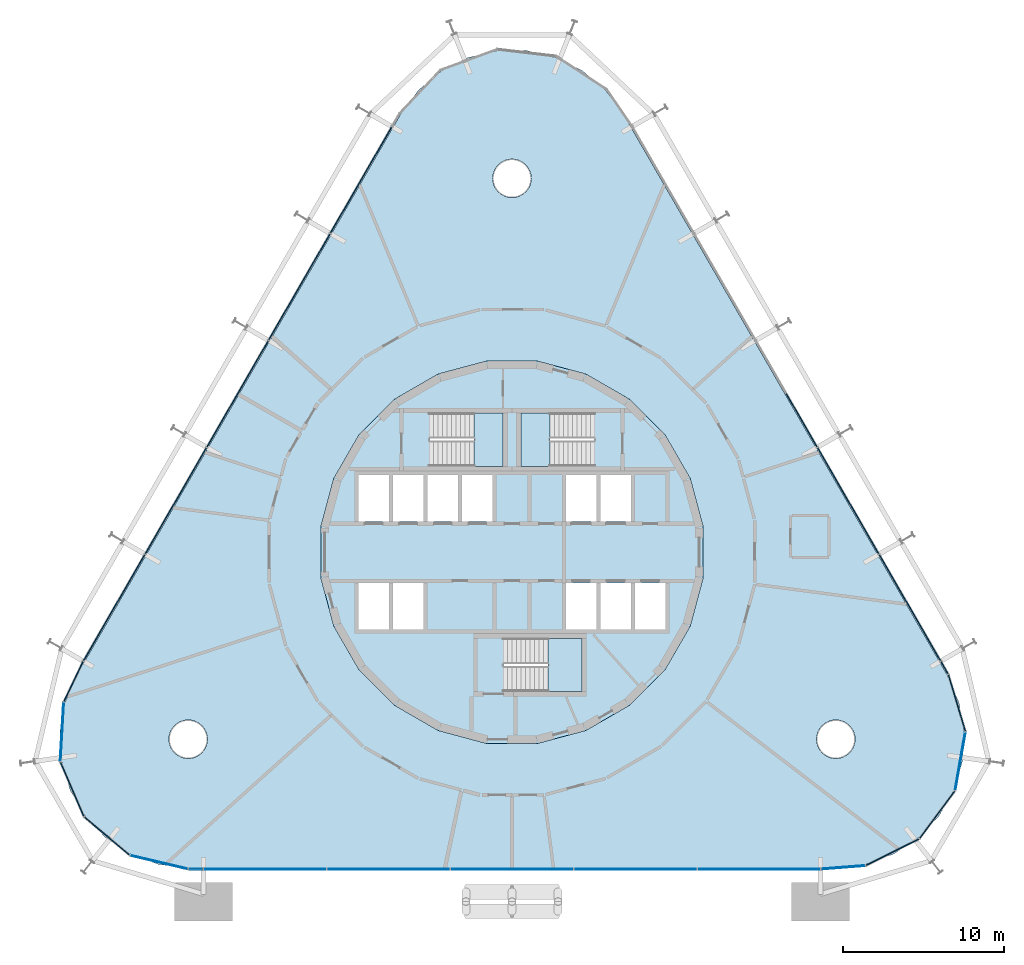
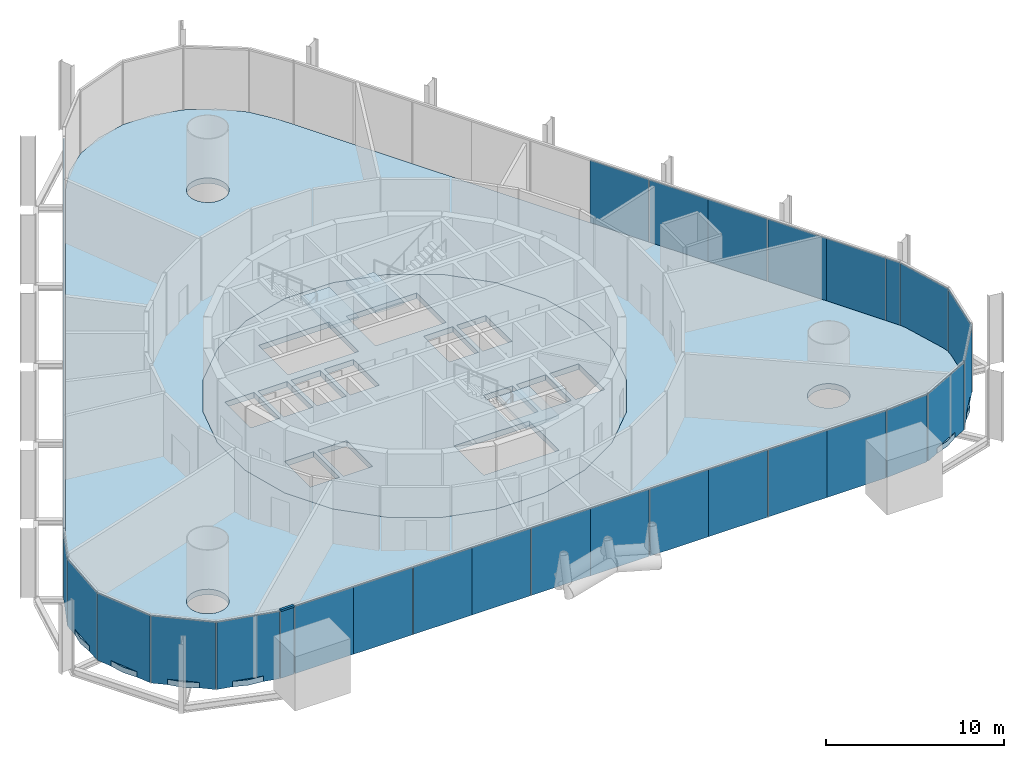
# One storey, part 12 of 17: 37 plates, 5 slabs, 1 member, 8 elements without a shape of their own.
"""IFC4 building model written with IfcOpenShell, lengths in metres."""

from ifc_helpers import new_model, si_unit, direction, frame, origin, origin_2d, place, context, subcontext, project, spatial, polyline, rectangle, outline, extrude, material, layer, layer_set, material_profile, profile_set, type_object, element, aggregate, save


model = new_model("IFC4")

# Units and contexts
model_context = context("Model", 3, precision=1e-05, world=origin(), true_north=direction((0.0, 1.0)))
body_context = subcontext(model_context, "Body", "Model", "MODEL_VIEW")
ifc_project = project(units=[si_unit("LENGTHUNIT", "METRE"), si_unit("AREAUNIT", "SQUARE_METRE"), si_unit("VOLUMEUNIT", "CUBIC_METRE"), si_unit("PLANEANGLEUNIT", "RADIAN"), si_unit("MASSUNIT", "GRAM", prefix="KILO")], contexts=[model_context])

# Site, building, storey
site_placement = place(None, origin())
site = spatial("IfcSite", under=ifc_project, at=site_placement, CompositionType="ELEMENT")
building_placement = place(site_placement, origin())
building = spatial("IfcBuilding", under=site, at=building_placement, Name="Spindle Arch Residences", CompositionType="ELEMENT")
storey_placement = place(building_placement, frame((0.0, 0.0, 28.199951171875)))
storey = spatial("IfcBuildingStorey", under=building, at=storey_placement, Name="L05", CompositionType="ELEMENT", Elevation=28.199951171875)

# Curtain wall, member
ifc_material_1 = material(Name="Aluminium bronze unitised frame with tinted glass", Category="aluminium")
ifc_layer_1 = layer(ifc_material_1, 0.159912109375)
ifc_layer_set_1 = layer_set([ifc_layer_1], Name="CW-D corner wall on the fillet arcs")
curtain_wall_type_1 = type_object("IfcCurtainWallType", Name="CW-D corner wall on the fillet arcs", PredefinedType="NOTDEFINED", material=ifc_layer_set_1)
curtain_wall_1_placement = place(storey_placement, origin())
curtain_wall_1 = element("IfcCurtainWall", 1, at=curtain_wall_1_placement, inside=storey, type_object=curtain_wall_type_1, Name="CW-D L05 run 5", PredefinedType="NOTDEFINED")
ifc_material_2 = material(Name="Aluminium bronze anodised transom", Category="aluminium")
ifc_material_profile = material_profile(ifc_material_2, rectangle(XDim=0.159912109375, YDim=0.1201171875, at=origin_2d()), Name="TR 120x160")
ifc_profile_set = profile_set([ifc_material_profile], Name="Aluminium bronze anodised transom")
member_type = type_object("IfcMemberType", Name="Bronze transom 120x160", PredefinedType="USERDEFINED", material=ifc_profile_set)
member_placement = place(storey_placement, frame((-20.113525390625, -19.7099609375, 4.2900390625), z_axis=(1.0, 0.0, 0.0), x_axis=(0.0, 1.0, 0.0)))
member = element("IfcMember", 2, at=member_placement, type_object=member_type, Name="CW-D transom 05", ObjectType="TRANSOM", PredefinedType="USERDEFINED", context=body_context, shape_type="SweptSolid", body=[
    extrude(rectangle(XDim=0.159912109375, YDim=0.1201171875, at=origin_2d()), origin(), (0.0, 0.0, 1.0), 0.88330078125),
])

# Slab
ifc_material_3 = material(Name="Concrete C50/60", Category="concrete")
ifc_layer_2 = layer(ifc_material_3, 0.3798828125)
ifc_layer_set_2 = layer_set([ifc_layer_2], Name="Core floor slab 380")
slab_type_1 = type_object("IfcSlabType", Name="Core floor slab 380", PredefinedType="FLOOR", material=ifc_layer_set_2)
slab_1_placement = place(storey_placement, frame((0.0, 0.0, -0.3798828125)))
element("IfcSlab", 3, at=slab_1_placement, inside=storey, type_object=slab_type_1, Name="Core floor L05", PredefinedType="FLOOR", context=body_context, shape_type="SweptSolid", body=[
    extrude(outline(polyline([(1.56640625, -11.897216796875), (4.59228515625, -11.086669921875), (7.30517578125, -9.520263671875), (9.520263671875, -7.30517578125), (11.086669921875, -4.59228515625), (11.897216796875, -1.56640625), (11.897216796875, 1.56640625), (11.086669921875, 4.59228515625), (9.520263671875, 7.30517578125), (7.30517578125, 9.520263671875), (4.59228515625, 11.086669921875), (1.56640625, 11.897216796875), (-1.56640625, 11.897216796875), (-4.59228515625, 11.086669921875), (-7.30517578125, 9.520263671875), (-9.520263671875, 7.30517578125), (-11.086669921875, 4.59228515625), (-11.897216796875, 1.56640625), (-11.897216796875, -1.56640625), (-11.086669921875, -4.59228515625), (-9.520263671875, -7.30517578125), (-7.30517578125, -9.520263671875), (-4.59228515625, -11.086669921875), (-1.56640625, -11.897216796875), (1.56640625, -11.897216796875)]), holes=[polyline([(-9.550048828125, 1.89990234375), (-7.64990234375, 1.89990234375), (-7.64990234375, 4.800048828125), (-9.550048828125, 4.800048828125), (-9.550048828125, 1.89990234375)]), polyline([(-7.39990234375, 1.89990234375), (-5.5, 1.89990234375), (-5.5, 4.800048828125), (-7.39990234375, 4.800048828125), (-7.39990234375, 1.89990234375)]), polyline([(-5.25, 1.89990234375), (-3.35009765625, 1.89990234375), (-3.35009765625, 4.800048828125), (-5.25, 4.800048828125), (-5.25, 1.89990234375)]), polyline([(-3.10009765625, 1.89990234375), (-1.199951171875, 1.89990234375), (-1.199951171875, 4.800048828125), (-3.10009765625, 4.800048828125), (-3.10009765625, 1.89990234375)]), polyline([(3.35009765625, 1.89990234375), (5.25, 1.89990234375), (5.25, 4.800048828125), (3.35009765625, 4.800048828125), (3.35009765625, 1.89990234375)]), polyline([(5.5, 1.89990234375), (7.39990234375, 1.89990234375), (7.39990234375, 4.800048828125), (5.5, 4.800048828125), (5.5, 1.89990234375)]), polyline([(-9.550048828125, -4.800048828125), (-7.64990234375, -4.800048828125), (-7.64990234375, -1.89990234375), (-9.550048828125, -1.89990234375), (-9.550048828125, -4.800048828125)]), polyline([(-7.39990234375, -4.800048828125), (-5.5, -4.800048828125), (-5.5, -1.89990234375), (-7.39990234375, -1.89990234375), (-7.39990234375, -4.800048828125)]), polyline([(3.35009765625, -4.800048828125), (5.25, -4.800048828125), (5.25, -1.89990234375), (3.35009765625, -1.89990234375), (3.35009765625, -4.800048828125)]), polyline([(5.5, -4.800048828125), (7.39990234375, -4.800048828125), (7.39990234375, -1.89990234375), (5.5, -1.89990234375), (5.5, -4.800048828125)]), polyline([(7.64990234375, -4.800048828125), (9.550048828125, -4.800048828125), (9.550048828125, -1.89990234375), (7.64990234375, -1.89990234375), (7.64990234375, -4.800048828125)]), polyline([(5.1298828125, 8.669921875), (0.550048828125, 8.669921875), (0.550048828125, 5.35009765625), (5.1298828125, 5.35009765625), (5.1298828125, 8.669921875)]), polyline([(-5.1298828125, 5.35009765625), (-0.550048828125, 5.35009765625), (-0.550048828125, 8.669921875), (-5.1298828125, 8.669921875), (-5.1298828125, 5.35009765625)]), polyline([(-0.530029296875, -8.669921875), (4.35009765625, -8.669921875), (4.35009765625, -5.35009765625), (-0.530029296875, -5.35009765625), (-0.530029296875, -8.669921875)])]), origin(), (0.0, 0.0, 1.0), 0.3798828125),
])

# Stair, slab
ifc_material_4 = material(Name="Concrete C50/60", Category="concrete")
stair_type = type_object("IfcStairType", Name="Exit stair 22 risers", PredefinedType="HALF_TURN_STAIR", material=ifc_material_4)
stair_1_placement = place(storey_placement, origin())
stair_1 = element("IfcStair", 4, at=stair_1_placement, inside=storey, type_object=stair_type, Name="L05 Exit stair ST1", PredefinedType="HALF_TURN_STAIR")
ifc_material_5 = material(Name="Concrete C50/60", Category="concrete")
ifc_layer_3 = layer(ifc_material_5, 0.219970703125)
ifc_layer_set_3 = layer_set([ifc_layer_3], Name="Exit stair landing 220")
slab_type_2 = type_object("IfcSlabType", Name="Exit stair landing 220", PredefinedType="LANDING", material=ifc_layer_set_3)
slab_2_placement = place(storey_placement, frame((0.0, 0.0, 2.179931640625)))
slab_2 = element("IfcSlab", 5, at=slab_2_placement, type_object=slab_type_2, Name="ST1 landing 1", PredefinedType="LANDING", context=body_context, shape_type="SweptSolid", body=[
    extrude(outline(polyline([(2.3701171875, 8.669921875), (0.550048828125, 8.669921875), (0.550048828125, 5.35009765625), (2.3701171875, 5.35009765625), (2.3701171875, 8.669921875)])), origin(), (0.0, 0.0, 1.0), 0.22021484375),
])
aggregate(stair_1, [slab_2])

stair_2_placement = place(storey_placement, origin())
stair_2 = element("IfcStair", 6, at=stair_2_placement, inside=storey, type_object=stair_type, Name="L05 Exit stair ST2", PredefinedType="HALF_TURN_STAIR")
slab_3_placement = place(storey_placement, frame((0.0, 0.0, 2.179931640625)))
slab_3 = element("IfcSlab", 7, at=slab_3_placement, type_object=slab_type_2, Name="ST2 landing 1", PredefinedType="LANDING", context=body_context, shape_type="SweptSolid", body=[
    extrude(outline(polyline([(-2.3701171875, 5.35009765625), (-0.550048828125, 5.35009765625), (-0.550048828125, 8.669921875), (-2.3701171875, 8.669921875), (-2.3701171875, 5.35009765625)])), origin(), (0.0, 0.0, 1.0), 0.22021484375),
])
aggregate(stair_2, [slab_3])

stair_3_placement = place(storey_placement, origin())
stair_3 = element("IfcStair", 8, at=stair_3_placement, inside=storey, type_object=stair_type, Name="L05 Exit stair ST3", PredefinedType="HALF_TURN_STAIR")
slab_4_placement = place(storey_placement, frame((0.0, 0.0, 2.179931640625)))
slab_4 = element("IfcSlab", 9, at=slab_4_placement, type_object=slab_type_2, Name="ST3 landing 1", PredefinedType="LANDING", context=body_context, shape_type="SweptSolid", body=[
    extrude(outline(polyline([(2.22998046875, -8.669921875), (4.35009765625, -8.669921875), (4.35009765625, -5.35009765625), (2.22998046875, -5.35009765625), (2.22998046875, -8.669921875)])), origin(), (0.0, 0.0, 1.0), 0.22021484375),
])
aggregate(stair_3, [slab_4])

# Slab
ifc_material_6 = material(Name="Concrete C40/50", Category="concrete")
ifc_layer_4 = layer(ifc_material_6, 0.3798828125)
ifc_layer_set_4 = layer_set([ifc_layer_4], Name="Floor slab 380")
slab_type_3 = type_object("IfcSlabType", Name="Floor slab 380", PredefinedType="FLOOR", material=ifc_layer_set_4)
slab_5_placement = place(storey_placement, frame((0.0, 0.0, -0.3798828125)))
element("IfcSlab", 10, at=slab_5_placement, inside=storey, type_object=slab_type_3, Name="Floor slab L05", PredefinedType="FLOOR", context=body_context, shape_type="SweptSolid", body=[
    extrude(outline(polyline([(-21.988525390625, -19.414306640625), (-23.73388671875, -18.779052734375), (-25.285888671875, -17.75830078125), (-26.560546875, -16.4072265625), (-27.4892578125, -14.798583984375), (-28.022216796875, -13.01904296875), (-28.130126953125, -11.164794921875), (-27.8076171875, -9.33544921875), (-27.07177734375, -7.6298828125), (-6.92822265625, 27.259765625), (-5.819091796875, 28.749755859375), (-4.39599609375, 29.943603515625), (-2.736083984375, 30.77734375), (-0.9287109375, 31.205810546875), (0.9287109375, 31.205810546875), (2.736083984375, 30.77734375), (4.39599609375, 29.943603515625), (5.819091796875, 28.749755859375), (6.92822265625, 27.259765625), (27.07177734375, -7.6298828125), (27.8076171875, -9.33544921875), (28.130126953125, -11.164794921875), (28.022216796875, -13.01904296875), (27.4892578125, -14.798583984375), (26.560546875, -16.4072265625), (25.285888671875, -17.75830078125), (23.73388671875, -18.779052734375), (21.988525390625, -19.414306640625), (20.1435546875, -19.6298828125), (0.0, -19.6298828125), (-20.1435546875, -19.6298828125), (-21.988525390625, -19.414306640625)]), holes=[polyline([(7.30517578125, -9.520263671875), (9.520263671875, -7.30517578125), (11.086669921875, -4.59228515625), (11.897216796875, -1.56640625), (11.897216796875, 1.56640625), (11.086669921875, 4.59228515625), (9.520263671875, 7.30517578125), (7.30517578125, 9.520263671875), (4.59228515625, 11.086669921875), (1.56640625, 11.897216796875), (-1.56640625, 11.897216796875), (-4.59228515625, 11.086669921875), (-7.30517578125, 9.520263671875), (-9.520263671875, 7.30517578125), (-11.086669921875, 4.59228515625), (-11.897216796875, 1.56640625), (-11.897216796875, -1.56640625), (-11.086669921875, -4.59228515625), (-9.520263671875, -7.30517578125), (-7.30517578125, -9.520263671875), (-4.59228515625, -11.086669921875), (-1.56640625, -11.897216796875), (1.56640625, -11.897216796875), (4.59228515625, -11.086669921875), (7.30517578125, -9.520263671875)]), polyline([(-19.295166015625, -12.478515625), (-19.145751953125, -12.296630859375), (-19.034912109375, -12.089111328125), (-18.966796875, -11.864013671875), (-18.943603515625, -11.6298828125), (-18.966796875, -11.395751953125), (-19.034912109375, -11.170654296875), (-19.145751953125, -10.963134765625), (-19.295166015625, -10.781494140625), (-19.476806640625, -10.632080078125), (-19.684326171875, -10.521240234375), (-19.909423828125, -10.452880859375), (-20.1435546875, -10.429931640625), (-20.377685546875, -10.452880859375), (-20.602783203125, -10.521240234375), (-20.810302734375, -10.632080078125), (-20.9921875, -10.781494140625), (-21.141357421875, -10.963134765625), (-21.252197265625, -11.170654296875), (-21.320556640625, -11.395751953125), (-21.343505859375, -11.6298828125), (-21.320556640625, -11.864013671875), (-21.252197265625, -12.089111328125), (-21.141357421875, -12.296630859375), (-20.9921875, -12.478515625), (-20.810302734375, -12.627685546875), (-20.602783203125, -12.738525390625), (-20.377685546875, -12.806884765625), (-20.1435546875, -12.829833984375), (-19.909423828125, -12.806884765625), (-19.684326171875, -12.738525390625), (-19.476806640625, -12.627685546875), (-19.295166015625, -12.478515625)]), polyline([(0.848388671875, 22.411376953125), (0.997802734375, 22.593017578125), (1.108642578125, 22.800537109375), (1.177001953125, 23.025634765625), (1.199951171875, 23.259765625), (1.177001953125, 23.493896484375), (1.108642578125, 23.718994140625), (0.997802734375, 23.926513671875), (0.848388671875, 24.1083984375), (0.666748046875, 24.257568359375), (0.459228515625, 24.368408203125), (0.234130859375, 24.436767578125), (0.0, 24.459716796875), (-0.234130859375, 24.436767578125), (-0.459228515625, 24.368408203125), (-0.666748046875, 24.257568359375), (-0.848388671875, 24.1083984375), (-0.997802734375, 23.926513671875), (-1.108642578125, 23.718994140625), (-1.177001953125, 23.493896484375), (-1.199951171875, 23.259765625), (-1.177001953125, 23.025634765625), (-1.108642578125, 22.800537109375), (-0.997802734375, 22.593017578125), (-0.848388671875, 22.411376953125), (-0.666748046875, 22.261962890625), (-0.459228515625, 22.151123046875), (-0.234130859375, 22.0830078125), (0.0, 22.059814453125), (0.234130859375, 22.0830078125), (0.459228515625, 22.151123046875), (0.666748046875, 22.261962890625), (0.848388671875, 22.411376953125)]), polyline([(20.9921875, -12.478515625), (21.141357421875, -12.296630859375), (21.252197265625, -12.089111328125), (21.320556640625, -11.864013671875), (21.343505859375, -11.6298828125), (21.320556640625, -11.395751953125), (21.252197265625, -11.170654296875), (21.141357421875, -10.963134765625), (20.9921875, -10.781494140625), (20.810302734375, -10.632080078125), (20.602783203125, -10.521240234375), (20.377685546875, -10.452880859375), (20.1435546875, -10.429931640625), (19.909423828125, -10.452880859375), (19.684326171875, -10.521240234375), (19.476806640625, -10.632080078125), (19.295166015625, -10.781494140625), (19.145751953125, -10.963134765625), (19.034912109375, -11.170654296875), (18.966796875, -11.395751953125), (18.943603515625, -11.6298828125), (18.966796875, -11.864013671875), (19.034912109375, -12.089111328125), (19.145751953125, -12.296630859375), (19.295166015625, -12.478515625), (19.476806640625, -12.627685546875), (19.684326171875, -12.738525390625), (19.909423828125, -12.806884765625), (20.1435546875, -12.829833984375), (20.377685546875, -12.806884765625), (20.602783203125, -12.738525390625), (20.810302734375, -12.627685546875), (20.9921875, -12.478515625)])]), origin(), (0.0, 0.0, 1.0), 0.3798828125),
])

# Curtain wall, plates
curtain_wall_2_placement = place(storey_placement, origin())
curtain_wall_2 = element("IfcCurtainWall", 11, at=curtain_wall_2_placement, inside=storey, type_object=curtain_wall_type_1, Name="CW-D L05 run 1", PredefinedType="NOTDEFINED")
ifc_material_7 = material(Name="Tinted double glazing over aluminium faced non-combustible spandrel zone (K0)", Category="aluminium")
ifc_layer_5 = layer(ifc_material_7, 0.06005859375)
ifc_layer_set_5 = layer_set([ifc_layer_5], Name="Unitised glass panel with E 60 spandrel zone")
plate_type = type_object("IfcPlateType", Name="Unitised glass panel with E 60 spandrel zone", PredefinedType="CURTAIN_PANEL", material=ifc_layer_set_5)
plate_1_placement = place(storey_placement, frame((20.603515625, -19.60107421875, -0.3798828125), z_axis=(0.0, 0.0, 1.0), x_axis=(0.997002907861, 0.077364085451, 0.0)))
plate_1 = element("IfcPlate", 12, at=plate_1_placement, type_object=plate_type, Name="CW-D unit 00", PredefinedType="CURTAIN_PANEL", context=body_context, shape_type="SweptSolid", body=[
    extrude(rectangle(XDim=2.755126953125, YDim=0.06005859375, at=origin_2d()), origin(), (0.0, 0.0, 1.0), 4.610107421875),
])
plate_2_placement = place(storey_placement, frame((23.672119140625, -18.65576171875, -0.3798828125), z_axis=(0.0, 0.0, 1.0), x_axis=(0.893632642326, 0.448799176213, 0.0)))
plate_2 = element("IfcPlate", 13, at=plate_2_placement, type_object=plate_type, Name="CW-D unit 01", PredefinedType="CURTAIN_PANEL", context=body_context, shape_type="SweptSolid", body=[
    extrude(rectangle(XDim=3.666748046875, YDim=0.06005859375, at=origin_2d()), origin(), (0.0, 0.0, 1.0), 4.610107421875),
])
plate_3_placement = place(storey_placement, frame((26.449951171875, -16.324951171875, -0.3798828125), z_axis=(0.0, 0.0, 1.0), x_axis=(0.597158595823, 0.802123189687, 0.0)))
plate_3 = element("IfcPlate", 14, at=plate_3_placement, type_object=plate_type, Name="CW-D unit 02", PredefinedType="CURTAIN_PANEL", context=body_context, shape_type="SweptSolid", body=[
    extrude(rectangle(XDim=3.666748046875, YDim=0.06005859375, at=origin_2d()), origin(), (0.0, 0.0, 1.0), 4.610107421875),
])
plate_4_placement = place(storey_placement, frame((27.88623046875, -12.9951171875, -0.3798828125), z_axis=(0.0, 0.0, 1.0), x_axis=(0.173648181019, 0.984807752421, 0.0)))
plate_4 = element("IfcPlate", 15, at=plate_4_placement, type_object=plate_type, Name="CW-D unit 03", PredefinedType="CURTAIN_PANEL", context=body_context, shape_type="SweptSolid", body=[
    extrude(rectangle(XDim=3.666748046875, YDim=0.06005859375, at=origin_2d()), origin(), (0.0, 0.0, 1.0), 4.610107421875),
])
plate_5_placement = place(storey_placement, frame((27.675537109375, -9.375, -0.3798828125), z_axis=(0.0, 0.0, 1.0), x_axis=(-0.28680323051, 0.957989512975, 0.0)))
plate_5 = element("IfcPlate", 16, at=plate_5_placement, type_object=plate_type, Name="CW-D unit 04", PredefinedType="CURTAIN_PANEL", context=body_context, shape_type="SweptSolid", body=[
    extrude(rectangle(XDim=3.666748046875, YDim=0.06005859375, at=origin_2d()), origin(), (0.0, 0.0, 1.0), 4.610107421875),
])
plate_6_placement = place(storey_placement, frame((26.9052734375, -7.181396484375, -0.3798828125), z_axis=(0.0, 0.0, 1.0), x_axis=(-0.5, 0.866025403784, 0.0)))
plate_6 = element("IfcPlate", 17, at=plate_6_placement, type_object=plate_type, Name="CW-D unit 05", PredefinedType="CURTAIN_PANEL", context=body_context, shape_type="SweptSolid", body=[
    extrude(rectangle(XDim=0.88330078125, YDim=0.06005859375, at=origin_2d()), origin(), (0.0, 0.0, 1.0), 4.610107421875),
])
aggregate(curtain_wall_2, [plate_1, plate_2, plate_3, plate_4, plate_5, plate_6])

ifc_material_8 = material(Name="Aluminium bronze unitised frame with tinted glass", Category="aluminium")
ifc_layer_6 = layer(ifc_material_8, 0.159912109375)
ifc_layer_set_6 = layer_set([ifc_layer_6], Name="CW-B amenity podium glazed wall")
curtain_wall_type_2 = type_object("IfcCurtainWallType", Name="CW-B amenity podium glazed wall", PredefinedType="NOTDEFINED", material=ifc_layer_set_6)
curtain_wall_3_placement = place(storey_placement, origin())
curtain_wall_3 = element("IfcCurtainWall", 18, at=curtain_wall_3_placement, inside=storey, type_object=curtain_wall_type_2, Name="CW-B L05 run 2", PredefinedType="NOTDEFINED")
plate_7_placement = place(storey_placement, frame((25.701904296875, -5.09716796875, -0.3798828125), z_axis=(0.0, 0.0, 1.0), x_axis=(-0.5, 0.866025403784, 0.0)))
plate_7 = element("IfcPlate", 19, at=plate_7_placement, type_object=plate_type, Name="CW-B unit 05A", PredefinedType="CURTAIN_PANEL", context=body_context, shape_type="SweptSolid", body=[
    extrude(rectangle(XDim=3.81005859375, YDim=0.06005859375, at=origin_2d()), origin(), (0.0, 0.0, 1.0), 4.610107421875),
])
plate_8_placement = place(storey_placement, frame((23.796875, -1.797607421875, -0.3798828125), z_axis=(0.0, 0.0, 1.0), x_axis=(-0.5, 0.866025403784, 0.0)))
plate_8 = element("IfcPlate", 20, at=plate_8_placement, type_object=plate_type, Name="CW-B unit 05B", PredefinedType="CURTAIN_PANEL", context=body_context, shape_type="SweptSolid", body=[
    extrude(rectangle(XDim=3.81005859375, YDim=0.06005859375, at=origin_2d()), origin(), (0.0, 0.0, 1.0), 4.610107421875),
])
plate_9_placement = place(storey_placement, frame((21.86181640625, 1.553955078125, -0.3798828125), z_axis=(0.0, 0.0, 1.0), x_axis=(-0.5, 0.866025403784, 0.0)))
plate_9 = element("IfcPlate", 21, at=plate_9_placement, type_object=plate_type, Name="CW-B unit 06A", PredefinedType="CURTAIN_PANEL", context=body_context, shape_type="SweptSolid", body=[
    extrude(rectangle(XDim=3.81005859375, YDim=0.06005859375, at=origin_2d()), origin(), (0.0, 0.0, 1.0), 4.610107421875),
])
plate_10_placement = place(storey_placement, frame((19.956787109375, 4.853515625, -0.3798828125), z_axis=(0.0, 0.0, 1.0), x_axis=(-0.5, 0.866025403784, 0.0)))
plate_10 = element("IfcPlate", 22, at=plate_10_placement, type_object=plate_type, Name="CW-B unit 06B", PredefinedType="CURTAIN_PANEL", context=body_context, shape_type="SweptSolid", body=[
    extrude(rectangle(XDim=3.81005859375, YDim=0.06005859375, at=origin_2d()), origin(), (0.0, 0.0, 1.0), 4.610107421875),
])
plate_11_placement = place(storey_placement, frame((18.021728515625, 8.205078125, -0.3798828125), z_axis=(0.0, 0.0, 1.0), x_axis=(-0.5, 0.866025403784, 0.0)))
plate_11 = element("IfcPlate", 23, at=plate_11_placement, type_object=plate_type, Name="CW-B unit 07A", PredefinedType="CURTAIN_PANEL", context=body_context, shape_type="SweptSolid", body=[
    extrude(rectangle(XDim=3.81005859375, YDim=0.06005859375, at=origin_2d()), origin(), (0.0, 0.0, 1.0), 4.610107421875),
])
aggregate(curtain_wall_3, [plate_7, plate_8, plate_9, plate_10, plate_11])

curtain_wall_4_placement = place(storey_placement, origin())
curtain_wall_4 = element("IfcCurtainWall", 24, at=curtain_wall_4_placement, inside=storey, type_object=curtain_wall_type_2, Name="CW-B L05 run 4", PredefinedType="NOTDEFINED")
plate_12_placement = place(storey_placement, frame((-8.436767578125, 24.80712890625, -0.3798828125), z_axis=(0.0, 0.0, 1.0), x_axis=(-0.5, -0.866025403784, 0.0)))
plate_12 = element("IfcPlate", 25, at=plate_12_placement, type_object=plate_type, Name="CW-B unit 13A", PredefinedType="CURTAIN_PANEL", context=body_context, shape_type="SweptSolid", body=[
    extrude(rectangle(XDim=3.81005859375, YDim=0.06005859375, at=origin_2d()), origin(), (0.0, 0.0, 1.0), 4.610107421875),
])
plate_13_placement = place(storey_placement, frame((-10.341796875, 21.50732421875, -0.3798828125), z_axis=(0.0, 0.0, 1.0), x_axis=(-0.5, -0.866025403784, 0.0)))
plate_13 = element("IfcPlate", 26, at=plate_13_placement, type_object=plate_type, Name="CW-B unit 13B", PredefinedType="CURTAIN_PANEL", context=body_context, shape_type="SweptSolid", body=[
    extrude(rectangle(XDim=3.81005859375, YDim=0.06005859375, at=origin_2d()), origin(), (0.0, 0.0, 1.0), 4.610107421875),
])
plate_14_placement = place(storey_placement, frame((-12.27685546875, 18.156005859375, -0.3798828125), z_axis=(0.0, 0.0, 1.0), x_axis=(-0.5, -0.866025403784, 0.0)))
plate_14 = element("IfcPlate", 27, at=plate_14_placement, type_object=plate_type, Name="CW-B unit 14A", PredefinedType="CURTAIN_PANEL", context=body_context, shape_type="SweptSolid", body=[
    extrude(rectangle(XDim=3.81005859375, YDim=0.06005859375, at=origin_2d()), origin(), (0.0, 0.0, 1.0), 4.610107421875),
])
plate_15_placement = place(storey_placement, frame((-14.181640625, 14.856201171875, -0.3798828125), z_axis=(0.0, 0.0, 1.0), x_axis=(-0.5, -0.866025403784, 0.0)))
plate_15 = element("IfcPlate", 28, at=plate_15_placement, type_object=plate_type, Name="CW-B unit 14B", PredefinedType="CURTAIN_PANEL", context=body_context, shape_type="SweptSolid", body=[
    extrude(rectangle(XDim=3.81005859375, YDim=0.06005859375, at=origin_2d()), origin(), (0.0, 0.0, 1.0), 4.610107421875),
])
plate_16_placement = place(storey_placement, frame((-16.11669921875, 11.504638671875, -0.3798828125), z_axis=(0.0, 0.0, 1.0), x_axis=(-0.5, -0.866025403784, 0.0)))
plate_16 = element("IfcPlate", 29, at=plate_16_placement, type_object=plate_type, Name="CW-B unit 15A", PredefinedType="CURTAIN_PANEL", context=body_context, shape_type="SweptSolid", body=[
    extrude(rectangle(XDim=3.81005859375, YDim=0.06005859375, at=origin_2d()), origin(), (0.0, 0.0, 1.0), 4.610107421875),
])
plate_17_placement = place(storey_placement, frame((-18.021728515625, 8.205078125, -0.3798828125), z_axis=(0.0, 0.0, 1.0), x_axis=(-0.5, -0.866025403784, 0.0)))
plate_17 = element("IfcPlate", 30, at=plate_17_placement, type_object=plate_type, Name="CW-B unit 15B", PredefinedType="CURTAIN_PANEL", context=body_context, shape_type="SweptSolid", body=[
    extrude(rectangle(XDim=3.81005859375, YDim=0.06005859375, at=origin_2d()), origin(), (0.0, 0.0, 1.0), 4.610107421875),
])
plate_18_placement = place(storey_placement, frame((-19.956787109375, 4.853515625, -0.3798828125), z_axis=(0.0, 0.0, 1.0), x_axis=(-0.5, -0.866025403784, 0.0)))
plate_18 = element("IfcPlate", 31, at=plate_18_placement, type_object=plate_type, Name="CW-B unit 16A", PredefinedType="CURTAIN_PANEL", context=body_context, shape_type="SweptSolid", body=[
    extrude(rectangle(XDim=3.81005859375, YDim=0.06005859375, at=origin_2d()), origin(), (0.0, 0.0, 1.0), 4.610107421875),
])
plate_19_placement = place(storey_placement, frame((-21.86181640625, 1.553955078125, -0.3798828125), z_axis=(0.0, 0.0, 1.0), x_axis=(-0.5, -0.866025403784, 0.0)))
plate_19 = element("IfcPlate", 32, at=plate_19_placement, type_object=plate_type, Name="CW-B unit 16B", PredefinedType="CURTAIN_PANEL", context=body_context, shape_type="SweptSolid", body=[
    extrude(rectangle(XDim=3.81005859375, YDim=0.06005859375, at=origin_2d()), origin(), (0.0, 0.0, 1.0), 4.610107421875),
])
plate_20_placement = place(storey_placement, frame((-23.796875, -1.797607421875, -0.3798828125), z_axis=(0.0, 0.0, 1.0), x_axis=(-0.5, -0.866025403784, 0.0)))
plate_20 = element("IfcPlate", 33, at=plate_20_placement, type_object=plate_type, Name="CW-B unit 17A", PredefinedType="CURTAIN_PANEL", context=body_context, shape_type="SweptSolid", body=[
    extrude(rectangle(XDim=3.81005859375, YDim=0.06005859375, at=origin_2d()), origin(), (0.0, 0.0, 1.0), 4.610107421875),
])
plate_21_placement = place(storey_placement, frame((-25.701904296875, -5.09716796875, -0.3798828125), z_axis=(0.0, 0.0, 1.0), x_axis=(-0.5, -0.866025403784, 0.0)))
plate_21 = element("IfcPlate", 34, at=plate_21_placement, type_object=plate_type, Name="CW-B unit 17B", PredefinedType="CURTAIN_PANEL", context=body_context, shape_type="SweptSolid", body=[
    extrude(rectangle(XDim=3.81005859375, YDim=0.06005859375, at=origin_2d()), origin(), (0.0, 0.0, 1.0), 4.610107421875),
])
aggregate(curtain_wall_4, [plate_12, plate_13, plate_14, plate_15, plate_16, plate_17, plate_18, plate_19, plate_20, plate_21])

# Plate
plate_22_placement = place(storey_placement, frame((-27.27685546875, -8.042724609375, -0.3798828125), z_axis=(0.0, 0.0, 1.0), x_axis=(-0.431502189519, -0.902111889092, 0.0)))
plate_22 = element("IfcPlate", 35, at=plate_22_placement, type_object=plate_type, Name="CW-D unit 00", PredefinedType="CURTAIN_PANEL", context=body_context, shape_type="SweptSolid", body=[
    extrude(rectangle(XDim=2.755126953125, YDim=0.06005859375, at=origin_2d()), origin(), (0.0, 0.0, 1.0), 4.610107421875),
])

plate_23_placement = place(storey_placement, frame((-27.992431640625, -11.1728515625, -0.3798828125), z_axis=(0.0, 0.0, 1.0), x_axis=(-0.058144829968, -0.99830815821, 0.0)))
plate_23 = element("IfcPlate", 36, at=plate_23_placement, type_object=plate_type, Name="CW-D unit 01", PredefinedType="CURTAIN_PANEL", context=body_context, shape_type="SweptSolid", body=[
    extrude(rectangle(XDim=3.666748046875, YDim=0.06005859375, at=origin_2d()), origin(), (0.0, 0.0, 1.0), 4.610107421875),
])

plate_24_placement = place(storey_placement, frame((-27.36279296875, -14.743896484375, -0.3798828125), z_axis=(0.0, 0.0, 1.0), x_axis=(0.396079766691, -0.918216106599, 0.0)))
plate_24 = element("IfcPlate", 37, at=plate_24_placement, type_object=plate_type, Name="CW-D unit 02", PredefinedType="CURTAIN_PANEL", context=body_context, shape_type="SweptSolid", body=[
    extrude(rectangle(XDim=3.666748046875, YDim=0.06005859375, at=origin_2d()), origin(), (0.0, 0.0, 1.0), 4.610107421875),
])

plate_25_placement = place(storey_placement, frame((-25.197265625, -17.652587890625, -0.3798828125), z_axis=(0.0, 0.0, 1.0), x_axis=(0.766044445239, -0.64278760716, 0.0)))
plate_25 = element("IfcPlate", 38, at=plate_25_placement, type_object=plate_type, Name="CW-D unit 03", PredefinedType="CURTAIN_PANEL", context=body_context, shape_type="SweptSolid", body=[
    extrude(rectangle(XDim=3.666748046875, YDim=0.06005859375, at=origin_2d()), origin(), (0.0, 0.0, 1.0), 4.610107421875),
])

plate_26_placement = place(storey_placement, frame((-21.956787109375, -19.2802734375, -0.3798828125), z_axis=(0.0, 0.0, 1.0), x_axis=(0.973044871028, -0.230615868852, 0.0)))
plate_26 = element("IfcPlate", 39, at=plate_26_placement, type_object=plate_type, Name="CW-D unit 04", PredefinedType="CURTAIN_PANEL", context=body_context, shape_type="SweptSolid", body=[
    extrude(rectangle(XDim=3.666748046875, YDim=0.06005859375, at=origin_2d()), origin(), (0.0, 0.0, 1.0), 4.610107421875),
])

plate_27_placement = place(storey_placement, frame((-19.671875, -19.7099609375, -0.3798828125), z_axis=(0.0, 0.0, 1.0), x_axis=(1.0, 0.0, 0.0)))
plate_27 = element("IfcPlate", 40, at=plate_27_placement, type_object=plate_type, Name="CW-D unit 05", PredefinedType="CURTAIN_PANEL", context=body_context, shape_type="SweptSolid", body=[
    extrude(rectangle(XDim=0.88330078125, YDim=0.06005859375, at=origin_2d()), origin(), (0.0, 0.0, 1.0), 4.610107421875),
])

aggregate(curtain_wall_1, [plate_22, plate_23, plate_24, plate_25, plate_26, member, plate_27])

# Curtain wall, plates
curtain_wall_5_placement = place(storey_placement, origin())
curtain_wall_5 = element("IfcCurtainWall", 41, at=curtain_wall_5_placement, inside=storey, type_object=curtain_wall_type_2, Name="CW-B L05 run 6", PredefinedType="NOTDEFINED")
plate_28_placement = place(storey_placement, frame((-17.26513671875, -19.7099609375, -0.3798828125), z_axis=(0.0, 0.0, 1.0), x_axis=(1.0, 0.0, 0.0)))
plate_28 = element("IfcPlate", 42, at=plate_28_placement, type_object=plate_type, Name="CW-B unit 21A", PredefinedType="CURTAIN_PANEL", context=body_context, shape_type="SweptSolid", body=[
    extrude(rectangle(XDim=3.81005859375, YDim=0.06005859375, at=origin_2d()), origin(), (0.0, 0.0, 1.0), 4.610107421875),
])
plate_29_placement = place(storey_placement, frame((-13.455078125, -19.7099609375, -0.3798828125), z_axis=(0.0, 0.0, 1.0), x_axis=(1.0, 0.0, 0.0)))
plate_29 = element("IfcPlate", 43, at=plate_29_placement, type_object=plate_type, Name="CW-B unit 21B", PredefinedType="CURTAIN_PANEL", context=body_context, shape_type="SweptSolid", body=[
    extrude(rectangle(XDim=3.81005859375, YDim=0.06005859375, at=origin_2d()), origin(), (0.0, 0.0, 1.0), 4.610107421875),
])
plate_30_placement = place(storey_placement, frame((-9.585205078125, -19.7099609375, -0.3798828125), z_axis=(0.0, 0.0, 1.0), x_axis=(1.0, 0.0, 0.0)))
plate_30 = element("IfcPlate", 44, at=plate_30_placement, type_object=plate_type, Name="CW-B unit 22A", PredefinedType="CURTAIN_PANEL", context=body_context, shape_type="SweptSolid", body=[
    extrude(rectangle(XDim=3.81005859375, YDim=0.06005859375, at=origin_2d()), origin(), (0.0, 0.0, 1.0), 4.610107421875),
])
plate_31_placement = place(storey_placement, frame((-5.775146484375, -19.7099609375, -0.3798828125), z_axis=(0.0, 0.0, 1.0), x_axis=(1.0, 0.0, 0.0)))
plate_31 = element("IfcPlate", 45, at=plate_31_placement, type_object=plate_type, Name="CW-B unit 22B", PredefinedType="CURTAIN_PANEL", context=body_context, shape_type="SweptSolid", body=[
    extrude(rectangle(XDim=3.81005859375, YDim=0.06005859375, at=origin_2d()), origin(), (0.0, 0.0, 1.0), 4.610107421875),
])
plate_32_placement = place(storey_placement, frame((-1.905029296875, -19.7099609375, -0.3798828125), z_axis=(0.0, 0.0, 1.0), x_axis=(1.0, 0.0, 0.0)))
plate_32 = element("IfcPlate", 46, at=plate_32_placement, type_object=plate_type, Name="CW-B unit 23A", PredefinedType="CURTAIN_PANEL", context=body_context, shape_type="SweptSolid", body=[
    extrude(rectangle(XDim=3.81005859375, YDim=0.06005859375, at=origin_2d()), origin(), (0.0, 0.0, 1.0), 4.610107421875),
])
plate_33_placement = place(storey_placement, frame((1.905029296875, -19.7099609375, -0.3798828125), z_axis=(0.0, 0.0, 1.0), x_axis=(1.0, 0.0, 0.0)))
plate_33 = element("IfcPlate", 47, at=plate_33_placement, type_object=plate_type, Name="CW-B unit 23B", PredefinedType="CURTAIN_PANEL", context=body_context, shape_type="SweptSolid", body=[
    extrude(rectangle(XDim=3.81005859375, YDim=0.06005859375, at=origin_2d()), origin(), (0.0, 0.0, 1.0), 4.610107421875),
])
plate_34_placement = place(storey_placement, frame((5.775146484375, -19.7099609375, -0.3798828125), z_axis=(0.0, 0.0, 1.0), x_axis=(1.0, 0.0, 0.0)))
plate_34 = element("IfcPlate", 48, at=plate_34_placement, type_object=plate_type, Name="CW-B unit 00A", PredefinedType="CURTAIN_PANEL", context=body_context, shape_type="SweptSolid", body=[
    extrude(rectangle(XDim=3.81005859375, YDim=0.06005859375, at=origin_2d()), origin(), (0.0, 0.0, 1.0), 4.610107421875),
])
plate_35_placement = place(storey_placement, frame((9.585205078125, -19.7099609375, -0.3798828125), z_axis=(0.0, 0.0, 1.0), x_axis=(1.0, 0.0, 0.0)))
plate_35 = element("IfcPlate", 49, at=plate_35_placement, type_object=plate_type, Name="CW-B unit 00B", PredefinedType="CURTAIN_PANEL", context=body_context, shape_type="SweptSolid", body=[
    extrude(rectangle(XDim=3.81005859375, YDim=0.06005859375, at=origin_2d()), origin(), (0.0, 0.0, 1.0), 4.610107421875),
])
plate_36_placement = place(storey_placement, frame((13.455078125, -19.7099609375, -0.3798828125), z_axis=(0.0, 0.0, 1.0), x_axis=(1.0, 0.0, 0.0)))
plate_36 = element("IfcPlate", 50, at=plate_36_placement, type_object=plate_type, Name="CW-B unit 01A", PredefinedType="CURTAIN_PANEL", context=body_context, shape_type="SweptSolid", body=[
    extrude(rectangle(XDim=3.81005859375, YDim=0.06005859375, at=origin_2d()), origin(), (0.0, 0.0, 1.0), 4.610107421875),
])
plate_37_placement = place(storey_placement, frame((17.26513671875, -19.7099609375, -0.3798828125), z_axis=(0.0, 0.0, 1.0), x_axis=(1.0, 0.0, 0.0)))
plate_37 = element("IfcPlate", 51, at=plate_37_placement, type_object=plate_type, Name="CW-B unit 01B", PredefinedType="CURTAIN_PANEL", context=body_context, shape_type="SweptSolid", body=[
    extrude(rectangle(XDim=3.81005859375, YDim=0.06005859375, at=origin_2d()), origin(), (0.0, 0.0, 1.0), 4.610107421875),
])
aggregate(curtain_wall_5, [plate_28, plate_29, plate_30, plate_31, plate_32, plate_33, plate_34, plate_35, plate_36, plate_37])

save(model, "model.ifc")
